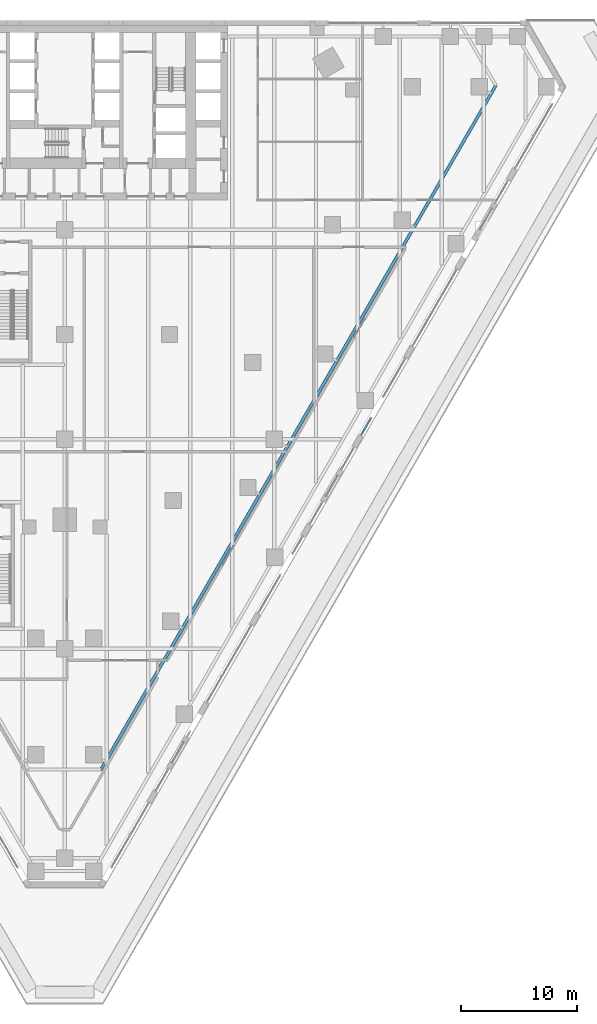
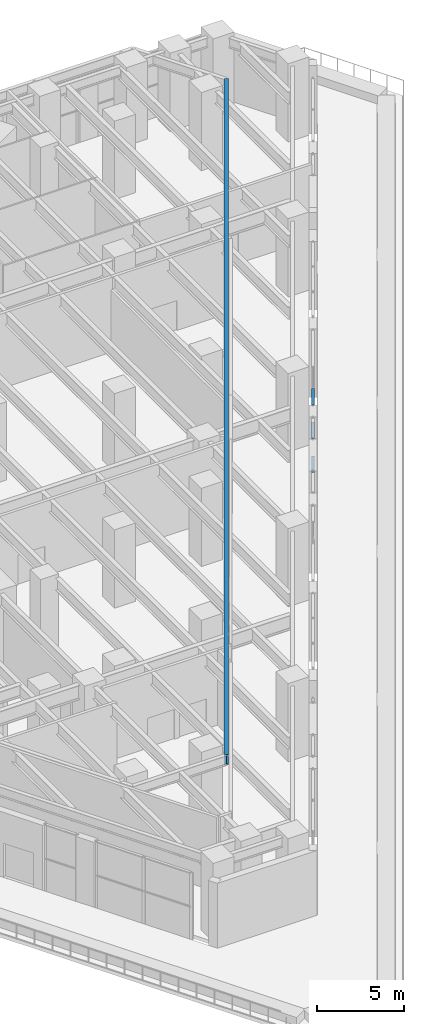
# One storey, part 9 of 30: 3 members, 1 beam, 1 element without a shape of its own.
"""IFC4 building model written with IfcOpenShell, lengths in metres."""

from ifc_helpers import new_model, si_unit, direction, frame, origin, origin_2d, place, context, subcontext, project, spatial, rectangle, i_section, extrude, material, material_profile, profile_set, type_object, element, aggregate, save


model = new_model("IFC4")

# Units and contexts
model_context = context("Model", 3, precision=1e-05, world=origin(), true_north=direction((0.0, 1.0)))
body_context = subcontext(model_context, "Body", "Model", "MODEL_VIEW")
ifc_project = project(units=[si_unit("LENGTHUNIT", "METRE"), si_unit("AREAUNIT", "SQUARE_METRE"), si_unit("VOLUMEUNIT", "CUBIC_METRE"), si_unit("PLANEANGLEUNIT", "RADIAN"), si_unit("MASSUNIT", "GRAM", prefix="KILO")], contexts=[model_context])

# Site, building, storey
site_placement = place(None, origin())
site = spatial("IfcSite", under=ifc_project, at=site_placement, CompositionType="ELEMENT")
building_placement = place(site_placement, origin())
building = spatial("IfcBuilding", under=site, at=building_placement, Name="Aloe Facet Convention Tower", CompositionType="ELEMENT")
storey_placement = place(building_placement, frame((0.0, 0.0, 19.5)))
storey = spatial("IfcBuildingStorey", under=building, at=storey_placement, Name="L03", CompositionType="ELEMENT", Elevation=19.5)

# Beam
ifc_material_1 = material(Name="Steel S355", Category="steel")
ifc_material_profile_1 = material_profile(ifc_material_1, i_section(OverallWidth=0.25439453125, OverallDepth=0.6875, WebThickness=0.01318359375, FlangeThickness=0.02099609375, FilletRadius=0.01513671875, at=origin_2d()), Name="UB 686x254x152")
ifc_profile_set_1 = profile_set([ifc_material_profile_1], Name="Steel S355")
beam_type = type_object("IfcBeamType", Name="EV-EB-UB686x254x152", PredefinedType="BEAM", material=ifc_profile_set_1)
beam_placement = place(storey_placement, frame((83.10498046875, 70.598876953125, 4.90625), z_axis=(0.500000729708, 0.866024982487, 0.0), x_axis=(-0.866024982487, 0.500000729708, 0.0)))
element("IfcBeam", 1, at=beam_placement, inside=storey, type_object=beam_type, Name="EB-L04-E", PredefinedType="BEAM", context=body_context, shape_type="SweptSolid", body=[
    extrude(i_section(OverallWidth=0.25439453125, OverallDepth=0.6875, WebThickness=0.01318359375, FlangeThickness=0.02099609375, FilletRadius=0.01513671875, at=origin_2d()), origin(), (0.0, 0.0, 1.0), 67.89404296875),
])

# Curtain wall, members
ifc_material_2 = material(Name="Aluminium, anodised", Category="aluminium")
curtain_wall_type = type_object("IfcCurtainWallType", Name="EV-CW-HALL", PredefinedType="USERDEFINED", material=ifc_material_2)
curtain_wall_placement = place(storey_placement, origin())
curtain_wall = element("IfcCurtainWall", 2, at=curtain_wall_placement, inside=storey, type_object=curtain_wall_type, Name="CW-L03-E12-1", ObjectType="UNITISED HALL GLAZING", PredefinedType="USERDEFINED")
ifc_material_3 = material(Name="Aluminium, anodised", Category="aluminium")
ifc_material_profile_2 = material_profile(ifc_material_3, rectangle(XDim=0.159912109375, YDim=0.06494140625, at=origin_2d()), Name="AL 160x65")
ifc_profile_set_2 = profile_set([ifc_material_profile_2], Name="Aluminium, anodised")
member_type = type_object("IfcMemberType", Name="EV-TRAN-HALL", PredefinedType="USERDEFINED", material=ifc_profile_set_2)
member_1_placement = place(storey_placement, frame((105.504638671875, 99.395751953125, -0.217529296875), z_axis=(0.499944992379, 0.86605716012, 0.0), x_axis=(-0.86605716012, 0.499944992379, 0.0)))
member_1 = element("IfcMember", 3, at=member_1_placement, type_object=member_type, Name="CW-L03-E12-1 transom 1.1", ObjectType="TRANSOM", PredefinedType="USERDEFINED", context=body_context, shape_type="SweptSolid", body=[
    extrude(rectangle(XDim=0.159912109375, YDim=0.06494140625, at=origin_2d()), origin(), (0.0, 0.0, 1.0), 1.614501953125),
])
member_2_placement = place(storey_placement, frame((105.504638671875, 99.395751953125, 2.15625), z_axis=(0.499944992379, 0.86605716012, 0.0), x_axis=(-0.86605716012, 0.499944992379, 0.0)))
member_2 = element("IfcMember", 4, at=member_2_placement, type_object=member_type, Name="CW-L03-E12-1 transom 1.2", ObjectType="TRANSOM", PredefinedType="USERDEFINED", context=body_context, shape_type="SweptSolid", body=[
    extrude(rectangle(XDim=0.159912109375, YDim=0.06494140625, at=origin_2d()), origin(), (0.0, 0.0, 1.0), 1.614501953125),
])
member_3_placement = place(storey_placement, frame((105.504638671875, 99.395751953125, 4.530029296875), z_axis=(0.499944992379, 0.86605716012, 0.0), x_axis=(-0.86605716012, 0.499944992379, 0.0)))
member_3 = element("IfcMember", 5, at=member_3_placement, type_object=member_type, Name="CW-L03-E12-1 transom 1.3", ObjectType="TRANSOM", PredefinedType="USERDEFINED", context=body_context, shape_type="SweptSolid", body=[
    extrude(rectangle(XDim=0.159912109375, YDim=0.06494140625, at=origin_2d()), origin(), (0.0, 0.0, 1.0), 1.614501953125),
])
aggregate(curtain_wall, [member_1, member_2, member_3])

save(model, "model.ifc")
